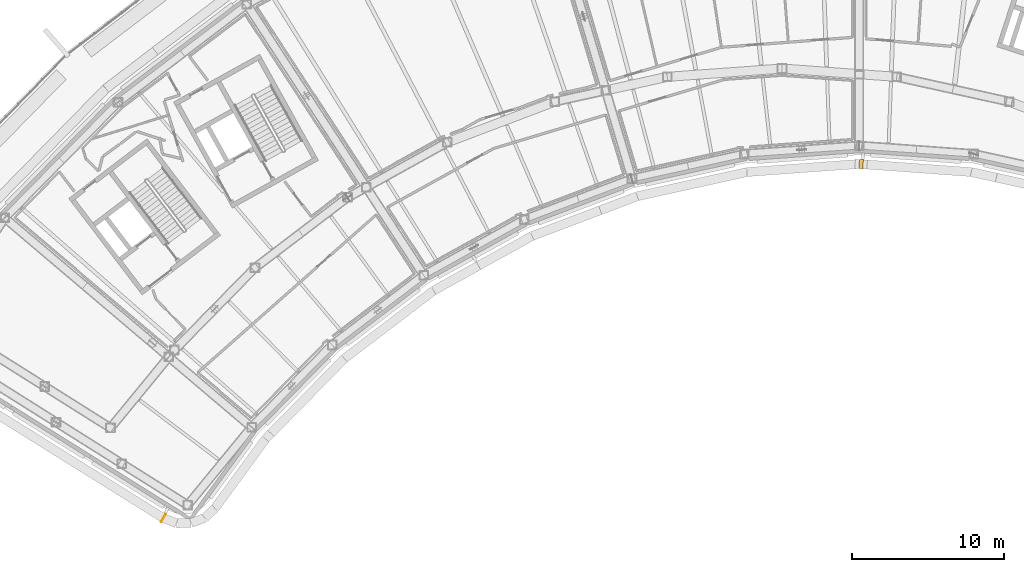
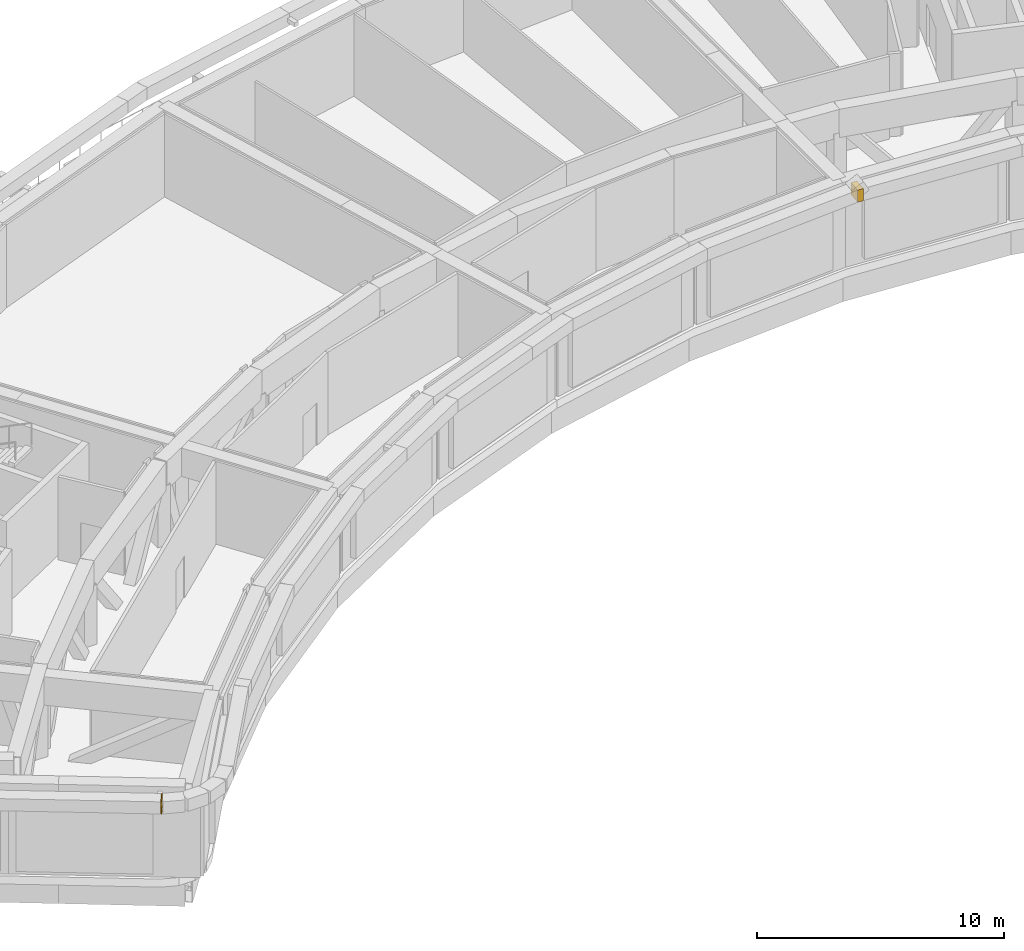
# One storey, part 23 of 24: 2 coverings.
"""IFC4 building model written with IfcOpenShell, lengths in metres."""

from ifc_helpers import new_model, si_unit, direction, frame, origin, origin_2d, place, context, subcontext, project, spatial, rectangle, extrude, material, material_profile, profile_set, type_object, element, save


model = new_model("IFC4")

# Units and contexts
model_context = context("Model", 3, precision=1e-05, world=origin(), true_north=direction((0.0, 1.0)))
body_context = subcontext(model_context, "Body", "Model", "MODEL_VIEW")
ifc_project = project(units=[si_unit("LENGTHUNIT", "METRE"), si_unit("AREAUNIT", "SQUARE_METRE"), si_unit("VOLUMEUNIT", "CUBIC_METRE"), si_unit("PLANEANGLEUNIT", "RADIAN"), si_unit("MASSUNIT", "GRAM", prefix="KILO")], contexts=[model_context])

# Site, building, storey
site_placement = place(None, origin())
site = spatial("IfcSite", under=ifc_project, at=site_placement, CompositionType="ELEMENT")
building_placement = place(site_placement, origin())
building = spatial("IfcBuilding", under=site, at=building_placement, Name="Tuul Gate Civic Tower", CompositionType="ELEMENT")
storey_placement = place(building_placement, frame((0.0, 0.0, 243.89990234375)))
storey = spatial("IfcBuildingStorey", under=building, at=storey_placement, Name="Plant and refuge floor 6", CompositionType="ELEMENT", Elevation=243.89990234375)

# Coverings
ifc_material = material(Name="Terracotta baguette", Category="masonry")
ifc_material_profile = material_profile(ifc_material, rectangle(XDim=0.60009765625, YDim=0.60009765625, at=origin_2d()), Name="Terracotta baguette screen frame")
ifc_profile_set = profile_set([ifc_material_profile], Name="Terracotta baguette")
covering_type = type_object("IfcCoveringType", Name="Terracotta baguette screen frame", PredefinedType="CLADDING", material=ifc_profile_set)
covering_1_placement = place(storey_placement, frame((-34.89794921875, -32.4326171875, 4.150146484375), z_axis=(0.848261487435, -0.529577613702, 0.0), x_axis=(0.529577613702, 0.848261487435, 0.0)))
element("IfcCovering", 1, at=covering_1_placement, inside=storey, type_object=covering_type, Name="Baguette 157", PredefinedType="CLADDING", context=body_context, shape_type="SweptSolid", body=[
    extrude(rectangle(XDim=0.60009765625, YDim=0.60009765625, at=origin_2d()), origin(), (0.0, 0.0, 1.0), 0.052001953125),
])
covering_2_placement = place(storey_placement, frame((11.031005859375, -9.0849609375, 4.150146484375), z_axis=(0.997378006638, -0.072367892575, 0.0), x_axis=(0.072367892575, 0.997378006638, 0.0)))
element("IfcCovering", 2, at=covering_2_placement, inside=storey, type_object=covering_type, Name="Baguette 405", PredefinedType="CLADDING", context=body_context, shape_type="SweptSolid", body=[
    extrude(rectangle(XDim=0.60009765625, YDim=0.60009765625, at=origin_2d()), origin(), (0.0, 0.0, 1.0), 0.26318359375),
])

save(model, "model.ifc")
